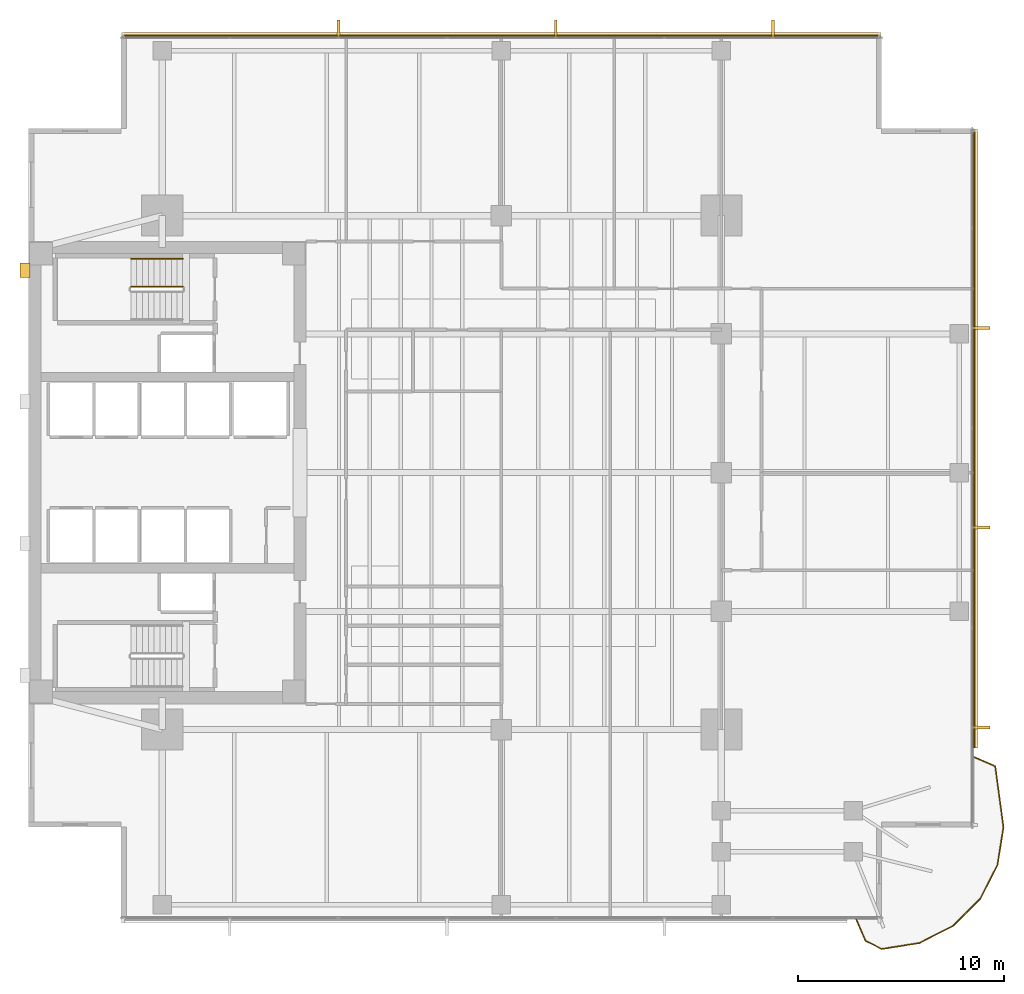
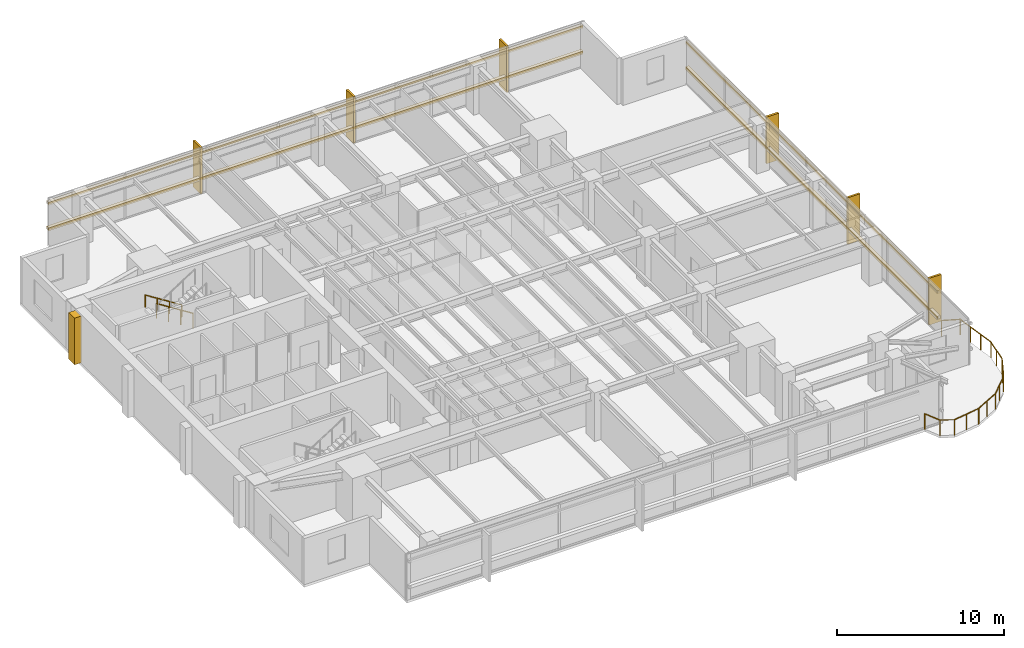
# One storey, part 14 of 14: 11 coverings, 11 railings, 4 shading devices.
"""IFC4 building model written with IfcOpenShell, lengths in metres."""

import ifcopenshell
import ifcopenshell.guid

model = None  # the IFC model being written
_history = None  # IfcOwnerHistory: only IFC2X3 demands one
_inside = {}  # id of a spatial element -> (the spatial element, [elements in it])
_under = {}  # id of a project, library or spatial element -> (it, [spatial elements below it])
_declared = {}  # id of a project -> (the project, [libraries it declares])
_typed = {}  # id of a type object -> (the type object, [elements of that type])
_made_of = {}  # id of a material, layer set ... -> (it, [elements and type objects made of it])


def new_model(schema):
    """Start an empty IFC model of exactly this schema.

    Asked for "IFC4X3", IfcOpenShell would pick the latest addendum, in which some entities
    have other attributes; the version numbers below select the first issue.
    IFC2X3 requires an IfcOwnerHistory on every rooted entity: one is made here for all.
    """
    global model, _history
    if schema == "IFC4X3":
        model = ifcopenshell.file(schema_version=(4, 3, 0, 0))
    else:
        model = ifcopenshell.file(schema=schema)
    _inside.clear()
    _under.clear()
    _declared.clear()
    _typed.clear()
    _made_of.clear()
    _history = None
    if model.schema == "IFC2X3":
        org = make("IfcOrganization", Name="unknown")
        user = make(
            "IfcPersonAndOrganization",
            ThePerson=make("IfcPerson", FamilyName="unknown"),
            TheOrganization=org,
        )
        app = make(
            "IfcApplication",
            ApplicationDeveloper=org,
            Version="unknown",
            ApplicationFullName="unknown",
            ApplicationIdentifier="unknown",
        )
        _history = make(
            "IfcOwnerHistory",
            OwningUser=user,
            OwningApplication=app,
            ChangeAction="ADDED",
            CreationDate=0,
        )
    return model


def make(cls, **values):
    """One entity of the class cls with the attributes given. An attribute that is None is left unset."""
    return model.create_entity(
        cls, **{name: value for name, value in values.items() if value is not None}
    )


def rooted(cls, **values):
    """An entity with a GlobalId (a new one), such as an element, a storey or a relation."""
    return make(cls, GlobalId=ifcopenshell.guid.new(), OwnerHistory=_history, **values)


def si_unit(unit_type, name, prefix=None):
    """IfcSIUnit, for example si_unit("LENGTHUNIT", "METRE", prefix="MILLI")."""
    return make("IfcSIUnit", UnitType=unit_type, Prefix=prefix, Name=name)


def assignment(units):
    """IfcUnitAssignment: the units of a project."""
    return None if units is None else make("IfcUnitAssignment", Units=units)


def point(xyz):
    """IfcCartesianPoint."""
    return None if xyz is None else make("IfcCartesianPoint", Coordinates=xyz)


def direction(xyz):
    """IfcDirection."""
    return None if xyz is None else make("IfcDirection", DirectionRatios=xyz)


def frame(location, z_axis=None, x_axis=None):
    """IfcAxis2Placement3D, a coordinate frame: its origin and axes. An axis left out is left unset."""
    return make(
        "IfcAxis2Placement3D",
        Location=point(location),
        Axis=direction(z_axis),
        RefDirection=direction(x_axis),
    )


def frame_2d(location, x_axis=None):
    """IfcAxis2Placement2D, a coordinate frame in the plane: its origin and x axis."""
    return make(
        "IfcAxis2Placement2D", Location=point(location), RefDirection=direction(x_axis)
    )


def origin():
    """The frame at (0, 0, 0) with its axes left unset."""
    return frame((0.0, 0.0, 0.0))


def origin_2d():
    """The frame at (0, 0) in the plane with its x axis left unset."""
    return frame_2d((0.0, 0.0))


def place(relative_to, where):
    """IfcLocalPlacement: puts the frame where relative to a parent placement (None: the world)."""
    return make(
        "IfcLocalPlacement", PlacementRelTo=relative_to, RelativePlacement=where
    )


def context(
    kind, dimensions, precision=None, world=None, true_north=None, identifier=None
):
    """IfcGeometricRepresentationContext, for example the 3D "Model" context."""
    return make(
        "IfcGeometricRepresentationContext",
        ContextIdentifier=identifier,
        ContextType=kind,
        CoordinateSpaceDimension=dimensions,
        Precision=precision,
        WorldCoordinateSystem=world,
        TrueNorth=true_north,
    )


def subcontext(parent, identifier, kind, view, scale=None):
    """IfcGeometricRepresentationSubContext, for example "Body" below "Model"."""
    return make(
        "IfcGeometricRepresentationSubContext",
        ContextIdentifier=identifier,
        ContextType=kind,
        ParentContext=parent,
        TargetScale=scale,
        TargetView=view,
    )


def project(units=None, contexts=None):
    """IfcProject with its units and contexts."""
    return rooted(
        "IfcProject",
        Name="project",
        RepresentationContexts=contexts,
        UnitsInContext=assignment(units),
    )


def spatial(cls, under=None, at=None, **own):
    """A site, building, storey or space (cls), placed at a placement, below another one or the project."""
    s = rooted(cls, ObjectPlacement=at, **own)
    if under is not None:
        _under.setdefault(under.id(), (under, []))[1].append(s)
    return s


def polyline(points):
    """IfcPolyline through the points."""
    return make("IfcPolyline", Points=[point(p) for p in points])


def profile(cls, at=None, kind="AREA", **sizes):
    """A parametric profile (cls). Its sizes go by their IFC names, for example OverallWidth=200.0."""
    return make(cls, ProfileType=kind, Position=at, **sizes)


def rectangle(**sizes):
    """IfcRectangleProfileDef."""
    return profile("IfcRectangleProfileDef", **sizes)


def circle(**sizes):
    """IfcCircleProfileDef."""
    return profile("IfcCircleProfileDef", **sizes)


def outline(outer, holes=None, kind="AREA"):
    """IfcArbitraryClosedProfileDef: a profile drawn as a closed curve; with holes, ...WithVoids."""
    if holes is None:
        return make("IfcArbitraryClosedProfileDef", ProfileType=kind, OuterCurve=outer)
    return make(
        "IfcArbitraryProfileDefWithVoids",
        ProfileType=kind,
        OuterCurve=outer,
        InnerCurves=holes,
    )


def extrude(swept, where, along, depth):
    """IfcExtrudedAreaSolid: the profile swept, set in the frame where, extruded along a direction by depth."""
    return make(
        "IfcExtrudedAreaSolid",
        SweptArea=swept,
        Position=where,
        ExtrudedDirection=direction(along),
        Depth=depth,
    )


def shape(context_of_items, identifier, shape_type, items):
    """IfcShapeRepresentation: the items that make up one representation, for example the "Body"."""
    return make(
        "IfcShapeRepresentation",
        ContextOfItems=context_of_items,
        RepresentationIdentifier=identifier,
        RepresentationType=shape_type,
        Items=items,
    )


def material(Name=None, Category=None):
    """IfcMaterial."""
    return make("IfcMaterial", Name=Name, Category=Category)


def layer(
    of_material, thickness, ventilated=None, Name=None, Category=None, Priority=None
):
    """IfcMaterialLayer: one layer of a wall or slab, of a material (None: an air gap)."""
    return make(
        "IfcMaterialLayer",
        Material=of_material,
        LayerThickness=thickness,
        IsVentilated=ventilated,
        Name=Name,
        Category=Category,
        Priority=Priority,
    )


def layer_set(layers, Name=None):
    """IfcMaterialLayerSet."""
    return make("IfcMaterialLayerSet", MaterialLayers=layers, LayerSetName=Name)


def material_profile(
    of_material, cross_section, Name=None, Category=None, Priority=None
):
    """IfcMaterialProfile: a cross section and its material."""
    return make(
        "IfcMaterialProfile",
        Name=Name,
        Material=of_material,
        Profile=cross_section,
        Priority=Priority,
        Category=Category,
    )


def profile_set(profiles, Name=None, composite=None):
    """IfcMaterialProfileSet."""
    return make(
        "IfcMaterialProfileSet",
        Name=Name,
        MaterialProfiles=profiles,
        CompositeProfile=composite,
    )


def made_of(thing, what):
    """Note that an element or type object is made of a material, layer set ...; save() writes the relation."""
    if what is not None:
        _made_of.setdefault(what.id(), (what, []))[1].append(thing)
    return thing


def type_object(cls, material=None, **own):
    """A type object (cls), such as IfcWallType, which elements share."""
    return made_of(rooted(cls, **own), material)


def element(
    cls,
    number,
    at=None,
    inside=None,
    cuts=None,
    type_object=None,
    material=None,
    context=None,
    identifier="Body",
    shape_type=None,
    held_by="IfcProductDefinitionShape",
    body=None,
    shapes=None,
    **own,
):
    """One element of the class cls, such as IfcWall. Its Tag is "e" and its number.

    at: its placement. inside: the storey or other place that contains it. cuts: it is an
    opening in that element (IfcRelVoidsElement). A single representation is given by context,
    identifier, shape_type and body (its items); several are given by shapes. held_by: the class
    of the entity that holds the representations. save() writes the other relations.
    """
    e = rooted(cls, Tag="e%d" % number, ObjectPlacement=at, **own)
    if body is not None:
        shapes = [shape(context, identifier, shape_type, body)]
    if shapes is not None:
        e.Representation = make(held_by, Representations=shapes)
    if inside is not None:
        _inside.setdefault(inside.id(), (inside, []))[1].append(e)
    if cuts is not None:
        rooted(
            "IfcRelVoidsElement", RelatingBuildingElement=cuts, RelatedOpeningElement=e
        )
    if type_object is not None:
        _typed.setdefault(type_object.id(), (type_object, []))[1].append(e)
    return made_of(e, material)


def aggregate(whole, parts):
    """IfcRelAggregates: a whole, such as a stair, and the parts it consists of."""
    return rooted("IfcRelAggregates", RelatingObject=whole, RelatedObjects=parts)


def save(model, path):
    """Write the relations noted so far, then the file.

    IfcRelAggregates (storeys below a building ...), IfcRelContainedInSpatialStructure (elements
    in a storey), IfcRelDefinesByType, IfcRelAssociatesMaterial and IfcRelDeclares: one each for
    every whole, place, type object, material and project.
    """
    for whole, parts in _under.values():
        aggregate(whole, parts)
    for where, things in _inside.values():
        rooted(
            "IfcRelContainedInSpatialStructure",
            RelatedElements=things,
            RelatingStructure=where,
        )
    for kind, things in _typed.values():
        rooted("IfcRelDefinesByType", RelatedObjects=things, RelatingType=kind)
    for what, things in _made_of.values():
        rooted("IfcRelAssociatesMaterial", RelatedObjects=things, RelatingMaterial=what)
    for by, libraries in _declared.values():
        rooted("IfcRelDeclares", RelatingContext=by, RelatedDefinitions=libraries)
    model.write(path)


model = new_model("IFC4")

# Units and contexts
model_context = context("Model", 3, precision=1e-05, world=origin(), true_north=direction((0.0, 1.0)))
body_context = subcontext(model_context, "Body", "Model", "MODEL_VIEW")
ifc_project = project(units=[si_unit("LENGTHUNIT", "METRE"), si_unit("AREAUNIT", "SQUARE_METRE"), si_unit("VOLUMEUNIT", "CUBIC_METRE"), si_unit("PLANEANGLEUNIT", "RADIAN"), si_unit("MASSUNIT", "GRAM", prefix="KILO")], contexts=[model_context])

# Site, building, storey
site_placement = place(None, origin())
site = spatial("IfcSite", under=ifc_project, at=site_placement, CompositionType="ELEMENT")
building_placement = place(site_placement, origin())
building = spatial("IfcBuilding", under=site, at=building_placement, Name="Kinhvarn Gate Tower", CompositionType="ELEMENT")
storey_placement = place(building_placement, frame((0.0, 0.0, 120.0)))
storey = spatial("IfcBuildingStorey", under=building, at=storey_placement, Name="L31", CompositionType="ELEMENT", Elevation=120.0)

# Coverings
ifc_material_1 = material(Name="Fired architectural terracotta", Category="masonry")
ifc_layer_1 = layer(ifc_material_1, 0.239990234375)
ifc_layer_set_1 = layer_set([ifc_layer_1], Name="Fired architectural terracotta")
covering_type_1 = type_object("IfcCoveringType", Name="COV-BAG-220", PredefinedType="CLADDING", material=ifc_layer_set_1)
for number, where, name in (
    (1, (0.0, 0.0, 0.93994140625), "Terracotta Horizontal Sunscreen Band TBG-220 (L31)"),
    (2, (0.0, 0.0, 2.81005859375), "Terracotta Horizontal Sunscreen Band TBG-220 (L31)"),
):
    element("IfcCovering", number, at=place(storey_placement, frame(where)), inside=storey, type_object=covering_type_1, Name=name, PredefinedType="CLADDING", context=body_context, shape_type="SweptSolid", body=[
        extrude(outline(polyline([(45.9599609375, 46.429931640625), (9.0400390625, 46.429931640625), (9.0400390625, 46.669921875), (45.9599609375, 46.669921875), (45.9599609375, 46.429931640625)])), origin(), (0.0, 0.0, 1.0), 0.219970703125),
    ])
for number, where, name in (
    (3, (0.0, 0.0, 0.93994140625), "Terracotta Horizontal Sunscreen Band TBG-220 (L31)"),
    (4, (0.0, 0.0, 2.81005859375), "Terracotta Horizontal Sunscreen Band TBG-220 (L31)"),
):
    element("IfcCovering", number, at=place(storey_placement, frame(where)), inside=storey, type_object=covering_type_1, Name=name, PredefinedType="CLADDING", context=body_context, shape_type="SweptSolid", body=[
        extrude(outline(polyline([(50.429931640625, 11.863037109375), (50.429931640625, 41.9599609375), (50.669921875, 41.9599609375), (50.669921875, 11.863037109375), (50.429931640625, 11.863037109375)])), origin(), (0.0, 0.0, 1.0), 0.219970703125),
    ])
ifc_layer_2 = layer(ifc_material_1, 0.139892578125)
ifc_layer_set_2 = layer_set([ifc_layer_2], Name="Fired architectural terracotta")
covering_type_2 = type_object("IfcCoveringType", Name="COV-FIN-850", PredefinedType="CLADDING", material=ifc_layer_set_2)
covering_1_placement = place(storey_placement, frame((0.0, 0.0, -0.02001953125)))
element("IfcCovering", 5, at=covering_1_placement, inside=storey, type_object=covering_type_2, Name="Vertical Terracotta Expressive Fin TFN-850 (L31)", PredefinedType="CLADDING", context=body_context, shape_type="SweptSolid", body=[
    extrude(outline(polyline([(40.7841796875, 46.419921875), (40.644287109375, 46.419921875), (40.644287109375, 47.27001953125), (40.7841796875, 47.27001953125), (40.7841796875, 46.419921875)])), origin(), (0.0, 0.0, 1.0), 3.409912109375),
])
covering_2_placement = place(storey_placement, frame((0.0, 0.0, -0.02001953125)))
element("IfcCovering", 6, at=covering_2_placement, inside=storey, type_object=covering_type_2, Name="Vertical Terracotta Expressive Fin TFN-850 (L31)", PredefinedType="CLADDING", context=body_context, shape_type="SweptSolid", body=[
    extrude(outline(polyline([(30.212890625, 46.419921875), (30.072998046875, 46.419921875), (30.072998046875, 47.27001953125), (30.212890625, 47.27001953125), (30.212890625, 46.419921875)])), origin(), (0.0, 0.0, 1.0), 3.409912109375),
])
covering_3_placement = place(storey_placement, frame((0.0, 0.0, -0.02001953125)))
element("IfcCovering", 7, at=covering_3_placement, inside=storey, type_object=covering_type_2, Name="Vertical Terracotta Expressive Fin TFN-850 (L31)", PredefinedType="CLADDING", context=body_context, shape_type="SweptSolid", body=[
    extrude(outline(polyline([(19.641357421875, 46.419921875), (19.50146484375, 46.419921875), (19.50146484375, 47.27001953125), (19.641357421875, 47.27001953125), (19.641357421875, 46.419921875)])), origin(), (0.0, 0.0, 1.0), 3.409912109375),
])
covering_4_placement = place(storey_placement, frame((0.0, 0.0, -0.02001953125)))
element("IfcCovering", 8, at=covering_4_placement, inside=storey, type_object=covering_type_2, Name="Vertical Terracotta Expressive Fin TFN-850 (L31)", PredefinedType="CLADDING", context=body_context, shape_type="SweptSolid", body=[
    extrude(outline(polyline([(50.419921875, 12.787109375), (50.419921875, 12.927001953125), (51.27001953125, 12.927001953125), (51.27001953125, 12.787109375), (50.419921875, 12.787109375)])), origin(), (0.0, 0.0, 1.0), 3.409912109375),
])
covering_5_placement = place(storey_placement, frame((0.0, 0.0, -0.02001953125)))
element("IfcCovering", 9, at=covering_5_placement, inside=storey, type_object=covering_type_2, Name="Vertical Terracotta Expressive Fin TFN-850 (L31)", PredefinedType="CLADDING", context=body_context, shape_type="SweptSolid", body=[
    extrude(outline(polyline([(50.419921875, 22.50146484375), (50.419921875, 22.641357421875), (51.27001953125, 22.641357421875), (51.27001953125, 22.50146484375), (50.419921875, 22.50146484375)])), origin(), (0.0, 0.0, 1.0), 3.409912109375),
])
covering_6_placement = place(storey_placement, frame((0.0, 0.0, -0.02001953125)))
element("IfcCovering", 10, at=covering_6_placement, inside=storey, type_object=covering_type_2, Name="Vertical Terracotta Expressive Fin TFN-850 (L31)", PredefinedType="CLADDING", context=body_context, shape_type="SweptSolid", body=[
    extrude(outline(polyline([(50.419921875, 32.2158203125), (50.419921875, 32.355712890625), (51.27001953125, 32.355712890625), (51.27001953125, 32.2158203125), (50.419921875, 32.2158203125)])), origin(), (0.0, 0.0, 1.0), 3.409912109375),
])
ifc_material_2 = material(Name="Precast white architectural concrete C40/50", Category="concrete")
ifc_layer_3 = layer(ifc_material_2, 0.47998046875)
ifc_layer_set_3 = layer_set([ifc_layer_3], Name="Precast white architectural concrete C40/50")
covering_type_3 = type_object("IfcCoveringType", Name="COV-RIB-450", PredefinedType="CLADDING", material=ifc_layer_set_3)
covering_7_placement = place(storey_placement, frame((0.0, 0.0, -0.02001953125)))
element("IfcCovering", 11, at=covering_7_placement, inside=storey, type_object=covering_type_3, Name="West Core Sculptural Concrete Relief Rib CRB-450 (L31)", PredefinedType="CLADDING", context=body_context, shape_type="SweptSolid", body=[
    extrude(outline(polyline([(4.080078125, 34.75), (4.56005859375, 34.75), (4.56005859375, 35.449951171875), (4.080078125, 35.449951171875), (4.080078125, 34.75)])), origin(), (0.0, 0.0, 1.0), 3.409912109375),
])

# Railings
ifc_material_3 = material(Name="Clear low-e double glazing", Category="glass")
railing_type_1 = type_object("IfcRailingType", Name="RL-BAL-1150", PredefinedType="BALUSTRADE", material=ifc_material_3)
railing_1_placement = place(storey_placement, frame((44.76708984375, 3.5, 0.0)))
element("IfcRailing", 12, at=railing_1_placement, inside=storey, type_object=railing_type_1, Name="S-Carve Balcony Guardrail Seg 1 (L31)", PredefinedType="BALUSTRADE", context=body_context, shape_type="SweptSolid", body=[
    extrude(circle(Radius=0.02392578125, at=origin_2d()), frame((0.0, 0.0, 1.1259765625), z_axis=(0.400465440822, -0.916311863236, 0.0), x_axis=(0.916311863236, 0.400465440822, 0.0)), (0.0, 0.0, 1.0), 1.12353515625),
    extrude(circle(Radius=0.02099609375, at=origin_2d()), origin(), (0.0, 0.0, 1.0), 1.101806640625),
    extrude(circle(Radius=0.02099609375, at=origin_2d()), frame((0.449951171875, -1.029541015625, 0.0)), (0.0, 0.0, 1.0), 1.101806640625),
])
railing_2_placement = place(storey_placement, frame((45.217041015625, 2.470458984375, 0.0)))
element("IfcRailing", 13, at=railing_2_placement, inside=storey, type_object=railing_type_1, Name="S-Carve Balcony Guardrail Seg 2 (L31)", PredefinedType="BALUSTRADE", context=body_context, shape_type="SweptSolid", body=[
    extrude(circle(Radius=0.02392578125, at=origin_2d()), frame((0.0, 0.0, 1.1259765625), z_axis=(0.890337156715, -0.455301820085, 0.0), x_axis=(0.455301820085, 0.890337156715, 0.0)), (0.0, 0.0, 1.0), 0.87939453125),
    extrude(circle(Radius=0.02099609375, at=origin_2d()), origin(), (0.0, 0.0, 1.0), 1.101806640625),
    extrude(circle(Radius=0.02099609375, at=origin_2d()), frame((0.782958984375, -0.400390625, 0.0)), (0.0, 0.0, 1.0), 1.101806640625),
])
railing_3_placement = place(storey_placement, frame((46.0, 2.070068359375, 0.0)))
element("IfcRailing", 14, at=railing_3_placement, inside=storey, type_object=railing_type_1, Name="S-Carve Balcony Guardrail Seg 3 (L31)", PredefinedType="BALUSTRADE", context=body_context, shape_type="SweptSolid", body=[
    extrude(circle(Radius=0.02392578125, at=origin_2d()), frame((0.0, 0.0, 1.1259765625), z_axis=(0.98770528339, 0.156327454925, 0.0), x_axis=(-0.156327454925, 0.98770528339, 0.0)), (0.0, 0.0, 1.0), 1.855224609375),
    extrude(circle(Radius=0.02099609375, at=origin_2d()), origin(), (0.0, 0.0, 1.0), 1.101806640625),
    extrude(circle(Radius=0.02099609375, at=origin_2d()), frame((0.916259765625, 0.14501953125, 0.0)), (0.0, 0.0, 1.0), 1.101806640625),
    extrude(circle(Radius=0.02099609375, at=origin_2d()), frame((1.83251953125, 0.2900390625, 0.0)), (0.0, 0.0, 1.0), 1.101806640625),
])
railing_4_placement = place(storey_placement, frame((47.83251953125, 2.360107421875, 0.0)))
element("IfcRailing", 15, at=railing_4_placement, inside=storey, type_object=railing_type_1, Name="S-Carve Balcony Guardrail Seg 4 (L31)", PredefinedType="BALUSTRADE", context=body_context, shape_type="SweptSolid", body=[
    extrude(circle(Radius=0.02392578125, at=origin_2d()), frame((0.0, 0.0, 1.1259765625), z_axis=(0.891006354839, 0.453990832107, 0.0), x_axis=(-0.453990832107, 0.891006354839, 0.0)), (0.0, 0.0, 1.0), 1.855224609375),
    extrude(circle(Radius=0.02099609375, at=origin_2d()), origin(), (0.0, 0.0, 1.0), 1.101806640625),
    extrude(circle(Radius=0.02099609375, at=origin_2d()), frame((0.82666015625, 0.421142578125, 0.0)), (0.0, 0.0, 1.0), 1.101806640625),
    extrude(circle(Radius=0.02099609375, at=origin_2d()), frame((1.653076171875, 0.84228515625, 0.0)), (0.0, 0.0, 1.0), 1.101806640625),
])
railing_5_placement = place(storey_placement, frame((49.485595703125, 3.202392578125, 0.0)))
element("IfcRailing", 16, at=railing_5_placement, inside=storey, type_object=railing_type_1, Name="S-Carve Balcony Guardrail Seg 5 (L31)", PredefinedType="BALUSTRADE", context=body_context, shape_type="SweptSolid", body=[
    extrude(circle(Radius=0.02392578125, at=origin_2d()), frame((0.0, 0.0, 1.1259765625), z_axis=(0.707106781187, 0.707106781187, 0.0), x_axis=(-0.707106781187, 0.707106781187, 0.0)), (0.0, 0.0, 1.0), 1.85546875),
    extrude(circle(Radius=0.02099609375, at=origin_2d()), origin(), (0.0, 0.0, 1.0), 1.101806640625),
    extrude(circle(Radius=0.02099609375, at=origin_2d()), frame((0.656005859375, 0.656005859375, 0.0)), (0.0, 0.0, 1.0), 1.101806640625),
    extrude(circle(Radius=0.02099609375, at=origin_2d()), frame((1.31201171875, 1.31201171875, 0.0)), (0.0, 0.0, 1.0), 1.101806640625),
])
railing_6_placement = place(storey_placement, frame((50.797607421875, 4.514404296875, 0.0)))
element("IfcRailing", 17, at=railing_6_placement, inside=storey, type_object=railing_type_1, Name="S-Carve Balcony Guardrail Seg 6 (L31)", PredefinedType="BALUSTRADE", context=body_context, shape_type="SweptSolid", body=[
    extrude(circle(Radius=0.02392578125, at=origin_2d()), frame((0.0, 0.0, 1.1259765625), z_axis=(0.453990832107, 0.891006354839, 0.0), x_axis=(-0.891006354839, 0.453990832107, 0.0)), (0.0, 0.0, 1.0), 1.855224609375),
    extrude(circle(Radius=0.02099609375, at=origin_2d()), origin(), (0.0, 0.0, 1.0), 1.101806640625),
    extrude(circle(Radius=0.02099609375, at=origin_2d()), frame((0.421142578125, 0.82666015625, 0.0)), (0.0, 0.0, 1.0), 1.101806640625),
    extrude(circle(Radius=0.02099609375, at=origin_2d()), frame((0.84228515625, 1.653076171875, 0.0)), (0.0, 0.0, 1.0), 1.101806640625),
])
railing_7_placement = place(storey_placement, frame((51.639892578125, 6.16748046875, 0.0)))
element("IfcRailing", 18, at=railing_7_placement, inside=storey, type_object=railing_type_1, Name="S-Carve Balcony Guardrail Seg 7 (L31)", PredefinedType="BALUSTRADE", context=body_context, shape_type="SweptSolid", body=[
    extrude(circle(Radius=0.02392578125, at=origin_2d()), frame((0.0, 0.0, 1.1259765625), z_axis=(0.156327454925, 0.98770528339, 0.0), x_axis=(-0.98770528339, 0.156327454925, 0.0)), (0.0, 0.0, 1.0), 1.855224609375),
    extrude(circle(Radius=0.02099609375, at=origin_2d()), origin(), (0.0, 0.0, 1.0), 1.101806640625),
    extrude(circle(Radius=0.02099609375, at=origin_2d()), frame((0.14501953125, 0.916259765625, 0.0)), (0.0, 0.0, 1.0), 1.101806640625),
    extrude(circle(Radius=0.02099609375, at=origin_2d()), frame((0.2900390625, 1.83251953125, 0.0)), (0.0, 0.0, 1.0), 1.101806640625),
])
railing_8_placement = place(storey_placement, frame((51.929931640625, 8.0, 0.0)))
element("IfcRailing", 19, at=railing_8_placement, inside=storey, type_object=railing_type_1, Name="S-Carve Balcony Guardrail Seg 8 (L31)", PredefinedType="BALUSTRADE", context=body_context, shape_type="SweptSolid", body=[
    extrude(circle(Radius=0.02392578125, at=origin_2d()), frame((0.0, 0.0, 1.1259765625), z_axis=(-0.133917896001, 0.99099243041, 0.0), x_axis=(-0.99099243041, -0.133917896001, 0.0)), (0.0, 0.0, 1.0), 2.98974609375),
    extrude(circle(Radius=0.02099609375, at=origin_2d()), origin(), (0.0, 0.0, 1.0), 1.101806640625),
    extrude(circle(Radius=0.02099609375, at=origin_2d()), frame((-0.133544921875, 0.987548828125, 0.0)), (0.0, 0.0, 1.0), 1.101806640625),
    extrude(circle(Radius=0.02099609375, at=origin_2d()), frame((-0.266845703125, 1.975341796875, 0.0)), (0.0, 0.0, 1.0), 1.101806640625),
    extrude(circle(Radius=0.02099609375, at=origin_2d()), frame((-0.400390625, 2.962890625, 0.0)), (0.0, 0.0, 1.0), 1.101806640625),
])
railing_9_placement = place(storey_placement, frame((51.529541015625, 10.962890625, 0.0)))
element("IfcRailing", 20, at=railing_9_placement, inside=storey, type_object=railing_type_1, Name="S-Carve Balcony Guardrail Seg 9 (L31)", PredefinedType="BALUSTRADE", context=body_context, shape_type="SweptSolid", body=[
    extrude(circle(Radius=0.02392578125, at=origin_2d()), frame((0.0, 0.0, 1.1259765625), z_axis=(-0.916232117188, 0.400647859638, 0.0), x_axis=(-0.400647859638, -0.916232117188, 0.0)), (0.0, 0.0, 1.0), 1.123779296875),
    extrude(circle(Radius=0.02099609375, at=origin_2d()), origin(), (0.0, 0.0, 1.0), 1.101806640625),
    extrude(circle(Radius=0.02099609375, at=origin_2d()), frame((-1.029541015625, 0.4501953125, 0.0)), (0.0, 0.0, 1.0), 1.101806640625),
])
ifc_material_4 = material(Name="Steel S355", Category="steel")
railing_type_2 = type_object("IfcRailingType", Name="RL-ST-GRD", PredefinedType="BALUSTRADE", material=ifc_material_4)
railing_10_placement = place(storey_placement, frame((12.0, 34.300048828125, 0.177490234375)))
element("IfcRailing", 21, at=railing_10_placement, inside=storey, type_object=railing_type_2, Name="L31 ST2 stair guard 1", PredefinedType="BALUSTRADE", context=body_context, shape_type="SweptSolid", body=[
    extrude(circle(Radius=0.02392578125, at=origin_2d()), frame((0.0, 0.0, 1.076171875), z_axis=(-0.84460694969, 0.0, 0.535386869969), x_axis=(0.0, -1.0, 0.0)), (0.0, 0.0, 1.0), 2.983642578125),
    extrude(circle(Radius=0.02099609375, at=origin_2d()), origin(), (0.0, 0.0, 1.0), 1.052001953125),
    extrude(circle(Radius=0.02099609375, at=origin_2d()), frame((-0.840087890625, 0.0, 0.532470703125)), (0.0, 0.0, 1.0), 1.052001953125),
    extrude(circle(Radius=0.02099609375, at=origin_2d()), frame((-1.679931640625, 0.0, 1.06494140625)), (0.0, 0.0, 1.0), 1.052001953125),
    extrude(circle(Radius=0.02099609375, at=origin_2d()), frame((-2.52001953125, 0.0, 1.597412109375)), (0.0, 0.0, 1.0), 1.052001953125),
])
railing_type_3 = type_object("IfcRailingType", Name="RL-ST-HND", PredefinedType="HANDRAIL", material=ifc_material_4)
railing_11_placement = place(storey_placement, frame((12.0, 35.64990234375, 0.177490234375)))
element("IfcRailing", 22, at=railing_11_placement, inside=storey, type_object=railing_type_3, Name="L31 ST2 stair handrail 1", PredefinedType="HANDRAIL", context=body_context, shape_type="SweptSolid", body=[
    extrude(circle(Radius=0.02392578125, at=origin_2d()), frame((0.0, 0.0, 0.8759765625), z_axis=(-0.84460694969, 0.0, 0.535386869969), x_axis=(0.0, -1.0, 0.0)), (0.0, 0.0, 1.0), 2.983642578125),
    extrude(circle(Radius=0.02099609375, at=origin_2d()), origin(), (0.0, 0.0, 1.0), 0.851806640625),
    extrude(circle(Radius=0.02099609375, at=origin_2d()), frame((-0.840087890625, 0.0, 0.532470703125)), (0.0, 0.0, 1.0), 0.851806640625),
    extrude(circle(Radius=0.02099609375, at=origin_2d()), frame((-1.679931640625, 0.0, 1.06494140625)), (0.0, 0.0, 1.0), 0.851806640625),
    extrude(circle(Radius=0.02099609375, at=origin_2d()), frame((-2.52001953125, 0.0, 1.597412109375)), (0.0, 0.0, 1.0), 0.851806640625),
])

# Shading devices
ifc_material_profile = material_profile(ifc_material_1, rectangle(XDim=0.050048828125, YDim=0.1201171875, at=origin_2d()), Name="TC 50x120")
ifc_profile_set = profile_set([ifc_material_profile], Name="Fired architectural terracotta")
shading_device_type = type_object("IfcShadingDeviceType", Name="SHD-BAG-140", PredefinedType="USERDEFINED", material=ifc_profile_set)
for number, where, z_axis, x_axis, name in (
    (23, (45.9599609375, 46.5, 1.050048828125), (-1.0, 0.0, 0.0), (0.0, -1.0, 0.0), "Upper Tower Terracotta Baguette Screen Rod 50x120 mm (L31)"),
    (24, (45.9599609375, 46.5, 2.919921875), (-1.0, 0.0, 0.0), (0.0, -1.0, 0.0), "Upper Tower Terracotta Baguette Screen Rod 50x120 mm (L31)"),
):
    element("IfcShadingDevice", number, at=place(storey_placement, frame(where, z_axis=z_axis, x_axis=x_axis)), inside=storey, type_object=shading_device_type, Name=name, ObjectType="BAGUETTE", PredefinedType="USERDEFINED", context=body_context, shape_type="SweptSolid", body=[
        extrude(rectangle(XDim=0.050048828125, YDim=0.1201171875, at=origin_2d()), origin(), (0.0, 0.0, 1.0), 36.919921875),
    ])
for number, where, z_axis, x_axis, name in (
    (25, (50.5, 11.863037109375, 1.050048828125), (0.0, 1.0, 0.0), (-1.0, 0.0, 0.0), "Upper Tower Terracotta Baguette Screen Rod 50x120 mm (L31)"),
    (26, (50.5, 11.863037109375, 2.919921875), (0.0, 1.0, 0.0), (-1.0, 0.0, 0.0), "Upper Tower Terracotta Baguette Screen Rod 50x120 mm (L31)"),
):
    element("IfcShadingDevice", number, at=place(storey_placement, frame(where, z_axis=z_axis, x_axis=x_axis)), inside=storey, type_object=shading_device_type, Name=name, ObjectType="BAGUETTE", PredefinedType="USERDEFINED", context=body_context, shape_type="SweptSolid", body=[
        extrude(rectangle(XDim=0.050048828125, YDim=0.1201171875, at=origin_2d()), origin(), (0.0, 0.0, 1.0), 30.096923828125),
    ])

save(model, "model.ifc")
